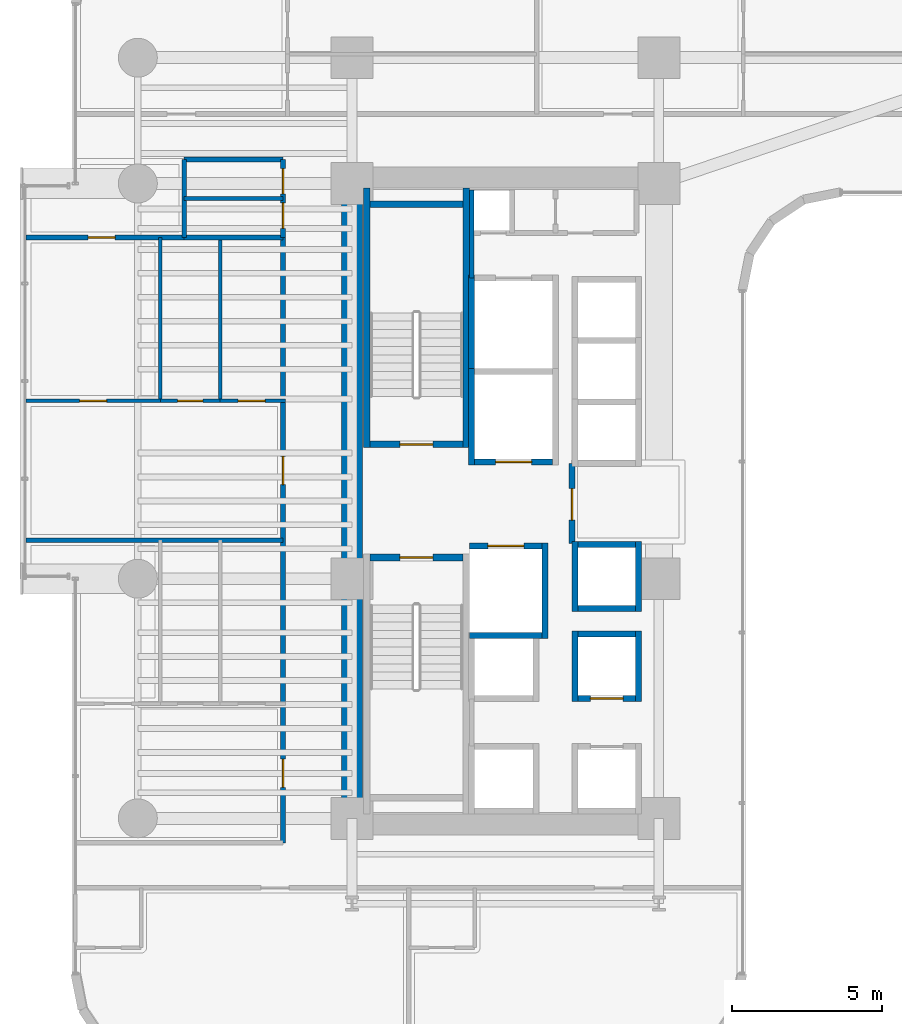
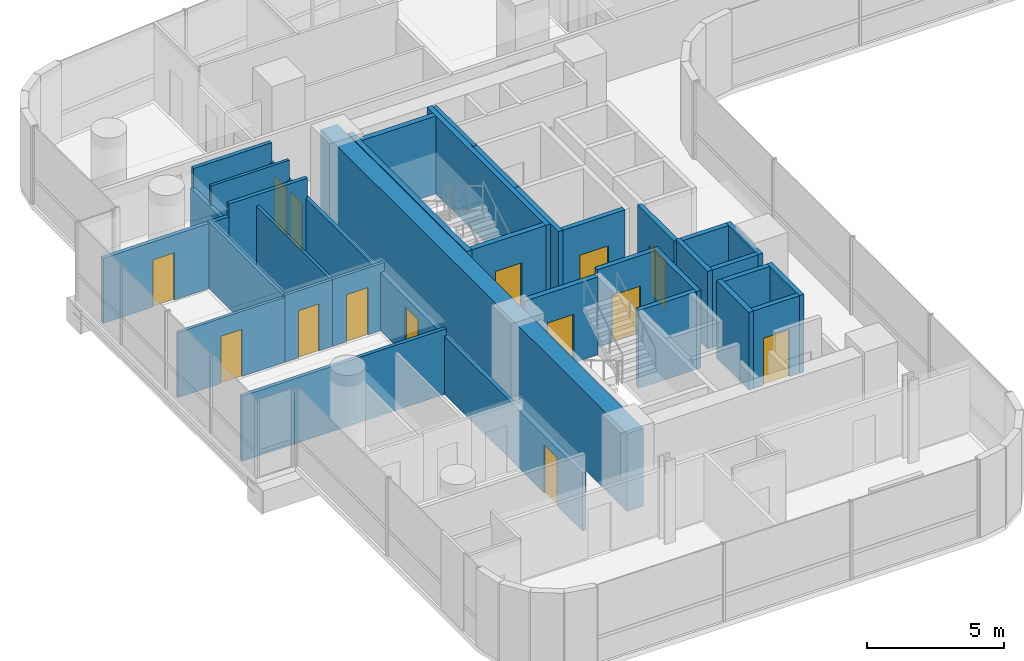
# One storey, part 30 of 40: 35 walls, 14 doors, 14 openings.
"""IFC4 building model written with IfcOpenShell, lengths in metres."""

from ifc_helpers import new_model, si_unit, direction, frame, frame_2d, origin, place, context, subcontext, project, spatial, rectangle, extrude, material, layer, layer_set, type_object, element, fill, save


model = new_model("IFC4")

# Units and contexts
model_context = context("Model", 3, precision=1e-05, world=origin(), true_north=direction((0.0, 1.0)))
body_context = subcontext(model_context, "Body", "Model", "MODEL_VIEW")
ifc_project = project(units=[si_unit("LENGTHUNIT", "METRE"), si_unit("AREAUNIT", "SQUARE_METRE"), si_unit("VOLUMEUNIT", "CUBIC_METRE"), si_unit("PLANEANGLEUNIT", "RADIAN"), si_unit("MASSUNIT", "GRAM", prefix="KILO")], contexts=[model_context])

# Site, building, storey
site_placement = place(None, origin())
site = spatial("IfcSite", under=ifc_project, at=site_placement, CompositionType="ELEMENT")
building_placement = place(site_placement, origin())
building = spatial("IfcBuilding", under=site, at=building_placement, Name="Valdorenza Pilgrim Sanctuary Tower", CompositionType="ELEMENT")
storey_placement = place(building_placement, frame((0.0, 0.0, 44.5)))
storey = spatial("IfcBuildingStorey", under=building, at=storey_placement, Name="L10", CompositionType="ELEMENT", Elevation=44.5)

# Walls
ifc_material_1 = material(Name="Acoustic twin-stud gypsum partition", Category="gypsum")
ifc_layer_1 = layer(ifc_material_1, 0.159912109375, Name="Acoustic twin-stud gypsum partition")
ifc_layer_set_1 = layer_set([ifc_layer_1], Name="Acoustic twin-stud gypsum partition")
wall_type_1 = type_object("IfcWallType", Name="WAL-COR-160", PredefinedType="PARTITIONING", material=ifc_layer_set_1)
wall_1_placement = place(storey_placement, frame((-18.64990234375, 7.449951171875, 0.0), z_axis=(0.0, 0.0, 1.0), x_axis=(0.0, 1.0, 0.0)))
element("IfcWall", 1, at=wall_1_placement, inside=storey, type_object=wall_type_1, Name="L10 Core A North Service West Wall", PredefinedType="PARTITIONING", context=body_context, shape_type="SweptSolid", body=[
    extrude(rectangle(XDim=2.929931640625, YDim=0.159912109375, at=frame_2d((1.46484375, 0.0))), origin(), (0.0, 0.0, 1.0), 3.4599609375),
])
wall_2_placement = place(storey_placement, frame((-28.25, 8.800048828125, 0.0), z_axis=(0.0, 0.0, 1.0), x_axis=(0.0, 1.0, 0.0)))
element("IfcWall", 2, at=wall_2_placement, inside=storey, type_object=wall_type_1, Name="L10 Washroom West Wall", PredefinedType="PARTITIONING", context=body_context, shape_type="SweptSolid", body=[
    extrude(rectangle(XDim=2.599853515625, YDim=0.159912109375, at=frame_2d((1.2998046875, 0.0))), origin(), (0.0, 0.0, 1.0), 2.5830078125),
])

# Wall, openings, doors
wall_3_placement = place(storey_placement, frame((-24.949951171875, 8.800048828125, 0.0), z_axis=(0.0, 0.0, 1.0), x_axis=(0.0, 1.0, 0.0)))
wall_3 = element("IfcWall", 3, at=wall_3_placement, inside=storey, type_object=wall_type_1, Name="L10 Washroom East Wall", PredefinedType="PARTITIONING", context=body_context, shape_type="SweptSolid", body=[
    extrude(rectangle(XDim=2.599853515625, YDim=0.159912109375, at=frame_2d((1.2998046875, 0.0))), origin(), (0.0, 0.0, 1.0), 2.5830078125),
])
opening_1_placement = place(wall_3_placement, frame((0.300048828125, 0.0, 0.0)))
opening_1 = element("IfcOpeningElement", 4, at=opening_1_placement, cuts=wall_3, Name="Opening DR-WC1", PredefinedType="OPENING", context=body_context, shape_type="SweptSolid", body=[
    extrude(rectangle(XDim=0.85009765625, YDim=2.10009765625, at=frame_2d((0.425048828125, 1.050048828125))), frame((0.0, 0.0947265625, 0.0), z_axis=(0.0, -1.0, 0.0), x_axis=(1.0, 0.0, 0.0)), (0.0, 0.0, 1.0), 0.189697265625),
])
opening_2_placement = place(wall_3_placement, frame((1.449951171875, 0.0, 0.0)))
opening_2 = element("IfcOpeningElement", 5, at=opening_2_placement, cuts=wall_3, Name="Opening DR-WC1", PredefinedType="OPENING", context=body_context, shape_type="SweptSolid", body=[
    extrude(rectangle(XDim=0.85009765625, YDim=2.10009765625, at=frame_2d((0.425048828125, 1.050048828125))), frame((0.0, 0.0947265625, 0.0), z_axis=(0.0, -1.0, 0.0), x_axis=(1.0, 0.0, 0.0)), (0.0, 0.0, 1.0), 0.189697265625),
])
ifc_material_2 = material(Name="Moisture-resistant lacquered timber", Category="wood")
door_type_1 = type_object("IfcDoorType", Name="DR-BATH-850", OperationType="NOTDEFINED", PredefinedType="DOOR", material=ifc_material_2)
door_1_placement = place(opening_1_placement, origin())
door_1 = element("IfcDoor", 6, at=door_1_placement, inside=storey, type_object=door_type_1, Name="L10 Accessible Washroom Door", OperationType="SINGLE_SWING_RIGHT", OverallHeight=2.10009765625, OverallWidth=0.85009765625, PredefinedType="DOOR", context=body_context, shape_type="SweptSolid", body=[
    extrude(rectangle(XDim=0.85009765625, YDim=2.10009765625, at=frame_2d((0.425048828125, 1.050048828125))), frame((0.0, 0.02490234375, 0.0), z_axis=(0.0, -1.0, 0.0), x_axis=(1.0, 0.0, 0.0)), (0.0, 0.0, 1.0), 0.050048828125),
])
fill(opening_1, door_1)
door_2_placement = place(opening_2_placement, origin())
door_2 = element("IfcDoor", 7, at=door_2_placement, inside=storey, type_object=door_type_1, Name="L10 Public Washroom Door", OperationType="SINGLE_SWING_LEFT", OverallHeight=2.10009765625, OverallWidth=0.85009765625, PredefinedType="DOOR", context=body_context, shape_type="SweptSolid", body=[
    extrude(rectangle(XDim=0.85009765625, YDim=2.10009765625, at=frame_2d((0.425048828125, 1.050048828125))), frame((0.0, 0.02490234375, 0.0), z_axis=(0.0, -1.0, 0.0), x_axis=(1.0, 0.0, 0.0)), (0.0, 0.0, 1.0), 0.050048828125),
])
fill(opening_2, door_2)

# Walls
for number, where, z_axis, x_axis, name in (
    (8, (-28.25, 8.800048828125, 0.0), (0.0, 0.0, 1.0), (1.0, 0.0, 0.0), "L10 Washroom South Wall"),
    (9, (-28.25, 11.39990234375, 0.0), (0.0, 0.0, 1.0), (1.0, 0.0, 0.0), "L10 Washroom North Wall"),
):
    element("IfcWall", number, at=place(storey_placement, frame(where, z_axis=z_axis, x_axis=x_axis)), inside=storey, type_object=wall_type_1, Name=name, PredefinedType="PARTITIONING", context=body_context, shape_type="SweptSolid", body=[
        extrude(rectangle(XDim=3.300048828125, YDim=0.159912109375, at=frame_2d((1.64990234375, 0.0))), origin(), (0.0, 0.0, 1.0), 3.4599609375),
    ])

# Wall, openings, doors
wall_4_placement = place(storey_placement, frame((-24.949951171875, -11.419921875, 0.0), z_axis=(0.0, 0.0, 1.0), x_axis=(0.0, 1.0, 0.0)))
wall_4 = element("IfcWall", 10, at=wall_4_placement, inside=storey, type_object=wall_type_1, Name="L10 West Wing Corridor Wall", PredefinedType="PARTITIONING", context=body_context, shape_type="SweptSolid", body=[
    extrude(rectangle(XDim=20.219970703125, YDim=0.159912109375, at=frame_2d((10.10986328125, 0.0))), origin(), (0.0, 0.0, 1.0), 2.5830078125),
])
opening_3_placement = place(wall_4_placement, frame((1.85009765625, 0.0, 0.0)))
opening_3 = element("IfcOpeningElement", 11, at=opening_3_placement, cuts=wall_4, Name="Opening DR-UN1", PredefinedType="OPENING", context=body_context, shape_type="SweptSolid", body=[
    extrude(rectangle(XDim=0.949951171875, YDim=2.14990234375, at=frame_2d((0.47509765625, 1.074951171875))), frame((0.0, 0.0947265625, 0.0), z_axis=(0.0, -1.0, 0.0), x_axis=(1.0, 0.0, 0.0)), (0.0, 0.0, 1.0), 0.189697265625),
])
opening_4_placement = place(wall_4_placement, frame((11.9599609375, 0.0, 0.0)))
opening_4 = element("IfcOpeningElement", 12, at=opening_4_placement, cuts=wall_4, Name="Opening DR-UN1", PredefinedType="OPENING", context=body_context, shape_type="SweptSolid", body=[
    extrude(rectangle(XDim=0.949951171875, YDim=2.14990234375, at=frame_2d((0.47509765625, 1.074951171875))), frame((0.0, 0.0947265625, 0.0), z_axis=(0.0, -1.0, 0.0), x_axis=(1.0, 0.0, 0.0)), (0.0, 0.0, 1.0), 0.189697265625),
])
ifc_material_3 = material(Name="Solid-core European oak timber", Category="wood")
door_type_2 = type_object("IfcDoorType", Name="DR-UNIT-950", OperationType="NOTDEFINED", PredefinedType="DOOR", material=ifc_material_3)
door_3_placement = place(opening_3_placement, frame((0.949951171875, 0.0, 0.0), z_axis=(0.0, 0.0, 1.0), x_axis=(-1.0, 0.0, 0.0)))
door_3 = element("IfcDoor", 13, at=door_3_placement, inside=storey, type_object=door_type_2, Name="L10 Pilgrim Family Flat L10-W1 Entrance Door", OperationType="SINGLE_SWING_LEFT", OverallHeight=2.14990234375, OverallWidth=0.949951171875, PredefinedType="DOOR", context=body_context, shape_type="SweptSolid", body=[
    extrude(rectangle(XDim=0.949951171875, YDim=2.14990234375, at=frame_2d((0.47509765625, 1.074951171875))), frame((0.0, 0.02490234375, 0.0), z_axis=(0.0, -1.0, 0.0), x_axis=(1.0, 0.0, 0.0)), (0.0, 0.0, 1.0), 0.050048828125),
])
fill(opening_3, door_3)
door_4_placement = place(opening_4_placement, frame((0.949951171875, 0.0, 0.0), z_axis=(0.0, 0.0, 1.0), x_axis=(-1.0, 0.0, 0.0)))
door_4 = element("IfcDoor", 14, at=door_4_placement, inside=storey, type_object=door_type_2, Name="L10 Pilgrim Family Flat L10-W2 Entrance Door", OperationType="SINGLE_SWING_LEFT", OverallHeight=2.14990234375, OverallWidth=0.949951171875, PredefinedType="DOOR", context=body_context, shape_type="SweptSolid", body=[
    extrude(rectangle(XDim=0.949951171875, YDim=2.14990234375, at=frame_2d((0.47509765625, 1.074951171875))), frame((0.0, 0.02490234375, 0.0), z_axis=(0.0, -1.0, 0.0), x_axis=(1.0, 0.0, 0.0)), (0.0, 0.0, 1.0), 0.050048828125),
])
fill(opening_4, door_4)

# Wall, opening, door
wall_5_placement = place(storey_placement, frame((-33.5400390625, 8.800048828125, 0.0), z_axis=(0.0, 0.0, 1.0), x_axis=(1.0, 0.0, 0.0)))
wall_5 = element("IfcWall", 15, at=wall_5_placement, inside=storey, type_object=wall_type_1, Name="L10 West North Alcove Wall", PredefinedType="PARTITIONING", context=body_context, shape_type="SweptSolid", body=[
    extrude(rectangle(XDim=5.2900390625, YDim=0.159912109375, at=frame_2d((2.64501953125, 0.0))), origin(), (0.0, 0.0, 1.0), 2.89599609375),
])
opening_5_placement = place(wall_5_placement, frame((2.080078125, 0.0, 0.0)))
opening_5 = element("IfcOpeningElement", 16, at=opening_5_placement, cuts=wall_5, Name="Opening DR-RM1", PredefinedType="OPENING", context=body_context, shape_type="SweptSolid", body=[
    extrude(rectangle(XDim=0.89990234375, YDim=2.10009765625, at=frame_2d((0.449951171875, 1.050048828125))), frame((0.0, 0.0947265625, 0.0), z_axis=(0.0, -1.0, 0.0), x_axis=(1.0, 0.0, 0.0)), (0.0, 0.0, 1.0), 0.189697265625),
])
door_type_3 = type_object("IfcDoorType", Name="DR-ROOM-900", OperationType="NOTDEFINED", PredefinedType="DOOR", material=ifc_material_3)
door_5_placement = place(opening_5_placement, origin())
door_5 = element("IfcDoor", 17, at=door_5_placement, inside=storey, type_object=door_type_3, Name="L10 Pilgrim Scholar Office L10-WN Door", OperationType="SINGLE_SWING_RIGHT", OverallHeight=2.10009765625, OverallWidth=0.89990234375, PredefinedType="DOOR", context=body_context, shape_type="SweptSolid", body=[
    extrude(rectangle(XDim=0.89990234375, YDim=2.10009765625, at=frame_2d((0.449951171875, 1.050048828125))), frame((0.0, 0.02490234375, 0.0), z_axis=(0.0, -1.0, 0.0), x_axis=(1.0, 0.0, 0.0)), (0.0, 0.0, 1.0), 0.050048828125),
])
fill(opening_5, door_5)

# Wall
ifc_material_4 = material(Name="Concrete C60/75", Category="concrete")
ifc_layer_2 = layer(ifc_material_4, 0.699951171875, Name="Concrete C60/75")
ifc_layer_set_2 = layer_set([ifc_layer_2], Name="Concrete C60/75")
wall_type_2 = type_object("IfcWallType", Name="WAL-COR-700", PredefinedType="SHEAR", material=ifc_layer_set_2)
wall_6_placement = place(storey_placement, frame((-22.64990234375, -11.14990234375, 0.0), z_axis=(0.0, 0.0, 1.0), x_axis=(0.0, 1.0, 0.0)))
element("IfcWall", 18, at=wall_6_placement, inside=storey, type_object=wall_type_2, Name="L10 Split Core A Shear Wall W", PredefinedType="SHEAR", context=body_context, shape_type="SweptSolid", body=[
    extrude(rectangle(XDim=22.2998046875, YDim=0.699951171875, at=frame_2d((11.14990234375, 0.0))), origin(), (0.0, 0.0, 1.0), 3.4599609375),
])

# Wall, opening, door
ifc_material_5 = material(Name="Gypsum shaftwall partition", Category="gypsum")
ifc_layer_3 = layer(ifc_material_5, 0.199951171875, Name="Gypsum shaftwall partition")
ifc_layer_set_3 = layer_set([ifc_layer_3], Name="Gypsum shaftwall partition")
wall_type_3 = type_object("IfcWallType", Name="WAL-FFL-200", PredefinedType="PARTITIONING", material=ifc_layer_set_3)
wall_7_placement = place(storey_placement, frame((-15.300048828125, -1.419921875, 0.0), z_axis=(0.0, 0.0, 1.0), x_axis=(0.0, 1.0, 0.0)))
wall_7 = element("IfcWall", 19, at=wall_7_placement, inside=storey, type_object=wall_type_3, Name="L10 Core A Firefighting Lobby East Wall", PredefinedType="PARTITIONING", context=body_context, shape_type="SweptSolid", body=[
    extrude(rectangle(XDim=2.669921875, YDim=0.199951171875, at=frame_2d((1.3349609375, 0.0))), origin(), (0.0, 0.0, 1.0), 3.4599609375),
])
opening_6_placement = place(wall_7_placement, frame((0.780029296875, 0.0, 0.0)))
opening_6 = element("IfcOpeningElement", 20, at=opening_6_placement, cuts=wall_7, Name="Opening DR-FL1", PredefinedType="OPENING", context=body_context, shape_type="SweptSolid", body=[
    extrude(rectangle(XDim=1.050048828125, YDim=2.14990234375, at=frame_2d((0.52490234375, 1.074951171875))), frame((0.0, 0.11474609375, 0.0), z_axis=(0.0, -1.0, 0.0), x_axis=(1.0, 0.0, 0.0)), (0.0, 0.0, 1.0), 0.229736328125),
])
ifc_material_6 = material(Name="Painted galvanized steel", Category="steel")
door_type_4 = type_object("IfcDoorType", Name="DR-FFL-1050", OperationType="NOTDEFINED", PredefinedType="DOOR", material=ifc_material_6)
door_6_placement = place(opening_6_placement, origin())
door_6 = element("IfcDoor", 21, at=door_6_placement, inside=storey, type_object=door_type_4, Name="L10 Core A Firefighting Lobby Door", OperationType="SINGLE_SWING_RIGHT", OverallHeight=2.14990234375, OverallWidth=1.050048828125, PredefinedType="DOOR", context=body_context, shape_type="SweptSolid", body=[
    extrude(rectangle(XDim=1.050048828125, YDim=2.14990234375, at=frame_2d((0.52490234375, 1.074951171875))), frame((0.0, 0.02490234375, 0.0), z_axis=(0.0, -1.0, 0.0), x_axis=(1.0, 0.0, 0.0)), (0.0, 0.0, 1.0), 0.050048828125),
])
fill(opening_6, door_6)

# Walls
ifc_material_7 = material(Name="Moisture-resistant gypsum partition", Category="gypsum")
ifc_layer_4 = layer(ifc_material_7, 0.1201171875, Name="Moisture-resistant gypsum partition")
ifc_layer_set_4 = layer_set([ifc_layer_4], Name="Moisture-resistant gypsum partition")
wall_type_4 = type_object("IfcWallType", Name="WAL-INT-120", PredefinedType="PARTITIONING", material=ifc_layer_set_4)
wall_8_placement = place(storey_placement, frame((-28.25, 10.10009765625, 0.0), z_axis=(0.0, 0.0, 1.0), x_axis=(1.0, 0.0, 0.0)))
element("IfcWall", 22, at=wall_8_placement, inside=storey, type_object=wall_type_4, Name="L10 Washroom Divider Wall", PredefinedType="PARTITIONING", context=body_context, shape_type="SweptSolid", body=[
    extrude(rectangle(XDim=3.300048828125, YDim=0.1201171875, at=frame_2d((1.64990234375, 0.0))), origin(), (0.0, 0.0, 1.0), 3.4599609375),
])
for number, where, z_axis, x_axis, name in (
    (23, (-27.050048828125, 3.340576171875, 0.0), (0.0, 0.0, 1.0), (0.0, 1.0, 0.0), "L10 Pilgrim Family Flat L10-W2 Bath-Kitchen Wall"),
    (24, (-29.050048828125, 3.340576171875, 0.0), (0.0, 0.0, 1.0), (0.0, 1.0, 0.0), "L10 Pilgrim Family Flat L10-W2 Kitchen-Bedroom Wall"),
):
    element("IfcWall", number, at=place(storey_placement, frame(where, z_axis=z_axis, x_axis=x_axis)), inside=storey, type_object=wall_type_4, Name=name, PredefinedType="PARTITIONING", context=body_context, shape_type="SweptSolid", body=[
        extrude(rectangle(XDim=5.45947265625, YDim=0.1201171875, at=frame_2d((2.729736328125, 0.0))), origin(), (0.0, 0.0, 1.0), 2.97900390625),
    ])

# Wall, opening, door
wall_9_placement = place(storey_placement, frame((-29.050048828125, 3.340576171875, 0.0), z_axis=(0.0, 0.0, 1.0), x_axis=(1.0, 0.0, 0.0)))
wall_9 = element("IfcWall", 25, at=wall_9_placement, inside=storey, type_object=wall_type_4, Name="L10 Pilgrim Family Flat L10-W2 Bathroom Door Wall", PredefinedType="PARTITIONING", context=body_context, shape_type="SweptSolid", body=[
    extrude(rectangle(XDim=2.0, YDim=0.1201171875, at=frame_2d((1.0, 0.0))), origin(), (0.0, 0.0, 1.0), 2.97900390625),
])
opening_7_placement = place(wall_9_placement, frame((0.574951171875, 0.0, 0.0)))
opening_7 = element("IfcOpeningElement", 26, at=opening_7_placement, cuts=wall_9, Name="Opening DR-WC1", PredefinedType="OPENING", context=body_context, shape_type="SweptSolid", body=[
    extrude(rectangle(XDim=0.85009765625, YDim=2.10009765625, at=frame_2d((0.425048828125, 1.050048828125))), frame((0.0, 0.074951171875, 0.0), z_axis=(0.0, -1.0, 0.0), x_axis=(1.0, 0.0, 0.0)), (0.0, 0.0, 1.0), 0.14990234375),
])
door_7_placement = place(opening_7_placement, origin())
door_7 = element("IfcDoor", 27, at=door_7_placement, inside=storey, type_object=door_type_1, Name="L10 Pilgrim Family Flat L10-W2 Bathroom Door", OperationType="SINGLE_SWING_RIGHT", OverallHeight=2.10009765625, OverallWidth=0.85009765625, PredefinedType="DOOR", context=body_context, shape_type="SweptSolid", body=[
    extrude(rectangle(XDim=0.85009765625, YDim=2.10009765625, at=frame_2d((0.425048828125, 1.050048828125))), frame((0.0, 0.02490234375, 0.0), z_axis=(0.0, -1.0, 0.0), x_axis=(1.0, 0.0, 0.0)), (0.0, 0.0, 1.0), 0.050048828125),
])
fill(opening_7, door_7)

wall_10_placement = place(storey_placement, frame((-27.050048828125, 3.340576171875, 0.0), z_axis=(0.0, 0.0, 1.0), x_axis=(1.0, 0.0, 0.0)))
wall_10 = element("IfcWall", 28, at=wall_10_placement, inside=storey, type_object=wall_type_4, Name="L10 Pilgrim Family Flat L10-W2 Kitchen Door Wall", PredefinedType="PARTITIONING", context=body_context, shape_type="SweptSolid", body=[
    extrude(rectangle(XDim=2.179931640625, YDim=0.1201171875, at=frame_2d((1.08984375, 0.0))), origin(), (0.0, 0.0, 1.0), 2.97900390625),
])
opening_8_placement = place(wall_10_placement, frame((0.60009765625, 0.0, 0.0)))
opening_8 = element("IfcOpeningElement", 29, at=opening_8_placement, cuts=wall_10, Name="Opening DR-RM1", PredefinedType="OPENING", context=body_context, shape_type="SweptSolid", body=[
    extrude(rectangle(XDim=0.89990234375, YDim=2.10009765625, at=frame_2d((0.449951171875, 1.050048828125))), frame((0.0, 0.074951171875, 0.0), z_axis=(0.0, -1.0, 0.0), x_axis=(1.0, 0.0, 0.0)), (0.0, 0.0, 1.0), 0.14990234375),
])
door_8_placement = place(opening_8_placement, origin())
door_8 = element("IfcDoor", 30, at=door_8_placement, inside=storey, type_object=door_type_3, Name="L10 Pilgrim Family Flat L10-W2 Kitchen Door", OperationType="SINGLE_SWING_LEFT", OverallHeight=2.10009765625, OverallWidth=0.89990234375, PredefinedType="DOOR", context=body_context, shape_type="SweptSolid", body=[
    extrude(rectangle(XDim=0.89990234375, YDim=2.10009765625, at=frame_2d((0.449951171875, 1.050048828125))), frame((0.0, 0.02490234375, 0.0), z_axis=(0.0, -1.0, 0.0), x_axis=(1.0, 0.0, 0.0)), (0.0, 0.0, 1.0), 0.050048828125),
])
fill(opening_8, door_8)

wall_11_placement = place(storey_placement, frame((-33.5400390625, 3.340576171875, 0.0), z_axis=(0.0, 0.0, 1.0), x_axis=(1.0, 0.0, 0.0)))
wall_11 = element("IfcWall", 31, at=wall_11_placement, inside=storey, type_object=wall_type_4, Name="L10 Pilgrim Family Flat L10-W2 Bedroom Door Wall", PredefinedType="PARTITIONING", context=body_context, shape_type="SweptSolid", body=[
    extrude(rectangle(XDim=4.489990234375, YDim=0.1201171875, at=frame_2d((2.2451171875, 0.0))), origin(), (0.0, 0.0, 1.0), 2.89599609375),
])
opening_9_placement = place(wall_11_placement, frame((1.794921875, 0.0, 0.0)))
opening_9 = element("IfcOpeningElement", 32, at=opening_9_placement, cuts=wall_11, Name="Opening DR-RM1", PredefinedType="OPENING", context=body_context, shape_type="SweptSolid", body=[
    extrude(rectangle(XDim=0.89990234375, YDim=2.10009765625, at=frame_2d((0.449951171875, 1.050048828125))), frame((0.0, 0.074951171875, 0.0), z_axis=(0.0, -1.0, 0.0), x_axis=(1.0, 0.0, 0.0)), (0.0, 0.0, 1.0), 0.14990234375),
])
door_9_placement = place(opening_9_placement, origin())
door_9 = element("IfcDoor", 33, at=door_9_placement, inside=storey, type_object=door_type_3, Name="L10 Pilgrim Family Flat L10-W2 Bedroom Door", OperationType="SINGLE_SWING_RIGHT", OverallHeight=2.10009765625, OverallWidth=0.89990234375, PredefinedType="DOOR", context=body_context, shape_type="SweptSolid", body=[
    extrude(rectangle(XDim=0.89990234375, YDim=2.10009765625, at=frame_2d((0.449951171875, 1.050048828125))), frame((0.0, 0.02490234375, 0.0), z_axis=(0.0, -1.0, 0.0), x_axis=(1.0, 0.0, 0.0)), (0.0, 0.0, 1.0), 0.050048828125),
])
fill(opening_9, door_9)

# Wall
ifc_material_8 = material(Name="Autoclaved aerated concrete blockwork", Category="masonry")
ifc_layer_5 = layer(ifc_material_8, 0.199951171875, Name="Autoclaved aerated concrete blockwork")
ifc_layer_set_5 = layer_set([ifc_layer_5], Name="Autoclaved aerated concrete blockwork")
wall_type_5 = type_object("IfcWallType", Name="WAL-SHF-200", PredefinedType="MOVABLE", material=ifc_layer_set_5)
wall_12_placement = place(storey_placement, frame((-18.64990234375, 1.199951171875, 0.0), z_axis=(0.0, 0.0, 1.0), x_axis=(0.0, 1.0, 0.0)))
element("IfcWall", 34, at=wall_12_placement, inside=storey, type_object=wall_type_5, Name="L10 Lift FFL-01 Hoistway Wall West", PredefinedType="MOVABLE", context=body_context, shape_type="SweptSolid", body=[
    extrude(rectangle(XDim=3.22509765625, YDim=0.199951171875, at=frame_2d((1.612548828125, 0.0))), origin(), (0.0, 0.0, 1.0), 3.4599609375),
])

# Wall, opening, door
wall_13_placement = place(storey_placement, frame((-18.550048828125, 1.300048828125, 0.0), z_axis=(0.0, 0.0, 1.0), x_axis=(1.0, 0.0, 0.0)))
wall_13 = element("IfcWall", 35, at=wall_13_placement, inside=storey, type_object=wall_type_5, Name="L10 Lift FFL-01 Hoistway Wall South", PredefinedType="MOVABLE", context=body_context, shape_type="SweptSolid", body=[
    extrude(rectangle(XDim=2.60009765625, YDim=0.199951171875, at=frame_2d((1.300048828125, 0.0))), origin(), (0.0, 0.0, 1.0), 3.4599609375),
])
opening_10_placement = place(wall_13_placement, frame((0.699951171875, 0.0, 0.0)))
opening_10 = element("IfcOpeningElement", 36, at=opening_10_placement, cuts=wall_13, Name="Opening LD-02", PredefinedType="OPENING", context=body_context, shape_type="SweptSolid", body=[
    extrude(rectangle(XDim=1.199951171875, YDim=2.10009765625, at=frame_2d((0.60009765625, 1.050048828125))), frame((0.0, 0.11474609375, 0.0), z_axis=(0.0, -1.0, 0.0), x_axis=(1.0, 0.0, 0.0)), (0.0, 0.0, 1.0), 0.229736328125),
])
ifc_material_9 = material(Name="Brushed stainless steel Grade 316", Category="steel")
door_type_5 = type_object("IfcDoorType", Name="DR-LFT-1200", OperationType="DOUBLE_DOOR_SLIDING", PredefinedType="DOOR", material=ifc_material_9)
door_10_placement = place(opening_10_placement, origin())
door_10 = element("IfcDoor", 37, at=door_10_placement, inside=storey, type_object=door_type_5, Name="L10 Lift FFL-01 Sliding Landing Door", OperationType="DOUBLE_DOOR_SLIDING", OverallHeight=2.10009765625, OverallWidth=1.199951171875, PredefinedType="DOOR", context=body_context, shape_type="SweptSolid", body=[
    extrude(rectangle(XDim=1.199951171875, YDim=2.10009765625, at=frame_2d((0.60009765625, 1.050048828125))), frame((0.0, 0.02490234375, 0.0), z_axis=(0.0, -1.0, 0.0), x_axis=(1.0, 0.0, 0.0)), (0.0, 0.0, 1.0), 0.050048828125),
])
fill(opening_10, door_10)

# Walls
wall_14_placement = place(storey_placement, frame((-16.199951171875, -4.60009765625, 0.0), z_axis=(0.0, 0.0, 1.0), x_axis=(0.0, 1.0, 0.0)))
element("IfcWall", 38, at=wall_14_placement, inside=storey, type_object=wall_type_5, Name="L10 Lift FFL-02 Hoistway Wall East", PredefinedType="MOVABLE", context=body_context, shape_type="SweptSolid", body=[
    extrude(rectangle(XDim=3.2001953125, YDim=0.199951171875, at=frame_2d((1.60009765625, 0.0))), origin(), (0.0, 0.0, 1.0), 3.4599609375),
])
wall_15_placement = place(storey_placement, frame((-18.719970703125, -4.5, 0.0), z_axis=(0.0, 0.0, 1.0), x_axis=(1.0, 0.0, 0.0)))
element("IfcWall", 39, at=wall_15_placement, inside=storey, type_object=wall_type_5, Name="L10 Lift FFL-02 Hoistway Wall South", PredefinedType="MOVABLE", context=body_context, shape_type="SweptSolid", body=[
    extrude(rectangle(XDim=2.419921875, YDim=0.199951171875, at=frame_2d((1.2099609375, 0.0))), origin(), (0.0, 0.0, 1.0), 3.4599609375),
])

# Wall, opening, door
wall_16_placement = place(storey_placement, frame((-18.719970703125, -1.5, 0.0), z_axis=(0.0, 0.0, 1.0), x_axis=(1.0, 0.0, 0.0)))
wall_16 = element("IfcWall", 40, at=wall_16_placement, inside=storey, type_object=wall_type_5, Name="L10 Lift FFL-02 Hoistway Wall North", PredefinedType="MOVABLE", context=body_context, shape_type="SweptSolid", body=[
    extrude(rectangle(XDim=2.419921875, YDim=0.199951171875, at=frame_2d((1.2099609375, 0.0))), origin(), (0.0, 0.0, 1.0), 3.4599609375),
])
opening_11_placement = place(wall_16_placement, frame((0.610107421875, 0.0, 0.0)))
opening_11 = element("IfcOpeningElement", 41, at=opening_11_placement, cuts=wall_16, Name="Opening LD-02", PredefinedType="OPENING", context=body_context, shape_type="SweptSolid", body=[
    extrude(rectangle(XDim=1.199951171875, YDim=2.10009765625, at=frame_2d((0.60009765625, 1.050048828125))), frame((0.0, 0.11474609375, 0.0), z_axis=(0.0, -1.0, 0.0), x_axis=(1.0, 0.0, 0.0)), (0.0, 0.0, 1.0), 0.229736328125),
])
door_11_placement = place(opening_11_placement, origin())
door_11 = element("IfcDoor", 42, at=door_11_placement, inside=storey, type_object=door_type_5, Name="L10 Lift FFL-02 Sliding Landing Door", OperationType="DOUBLE_DOOR_SLIDING", OverallHeight=2.10009765625, OverallWidth=1.199951171875, PredefinedType="DOOR", context=body_context, shape_type="SweptSolid", body=[
    extrude(rectangle(XDim=1.199951171875, YDim=2.10009765625, at=frame_2d((0.60009765625, 1.050048828125))), frame((0.0, 0.02490234375, 0.0), z_axis=(0.0, -1.0, 0.0), x_axis=(1.0, 0.0, 0.0)), (0.0, 0.0, 1.0), 0.050048828125),
])
fill(opening_11, door_11)

# Walls
wall_17_placement = place(storey_placement, frame((-18.64990234375, 4.22509765625, 0.0), z_axis=(0.0, 0.0, 1.0), x_axis=(0.0, 1.0, 0.0)))
element("IfcWall", 43, at=wall_17_placement, inside=storey, type_object=wall_type_5, Name="L10 Lift SVL-01 Hoistway Wall West", PredefinedType="MOVABLE", context=body_context, shape_type="SweptSolid", body=[
    extrude(rectangle(XDim=3.324951171875, YDim=0.199951171875, at=frame_2d((1.66259765625, 0.0))), origin(), (0.0, 0.0, 1.0), 3.4599609375),
])
for number, where, z_axis, x_axis, name in (
    (44, (-15.199951171875, -6.699951171875, 0.0), (0.0, 0.0, 1.0), (0.0, 1.0, 0.0), "L10 Lift PL-02 Hoistway Wall West"),
    (45, (-13.080078125, -6.699951171875, 0.0), (0.0, 0.0, 1.0), (0.0, 1.0, 0.0), "L10 Lift PL-02 Hoistway Wall East"),
):
    element("IfcWall", number, at=place(storey_placement, frame(where, z_axis=z_axis, x_axis=x_axis)), inside=storey, type_object=wall_type_5, Name=name, PredefinedType="MOVABLE", context=body_context, shape_type="SweptSolid", body=[
        extrude(rectangle(XDim=2.349853515625, YDim=0.199951171875, at=frame_2d((1.1748046875, 0.0))), origin(), (0.0, 0.0, 1.0), 3.4599609375),
    ])

# Wall, opening, door
wall_18_placement = place(storey_placement, frame((-15.10009765625, -6.60009765625, 0.0), z_axis=(0.0, 0.0, 1.0), x_axis=(1.0, 0.0, 0.0)))
wall_18 = element("IfcWall", 46, at=wall_18_placement, inside=storey, type_object=wall_type_5, Name="L10 Lift PL-02 Hoistway Wall South", PredefinedType="MOVABLE", context=body_context, shape_type="SweptSolid", body=[
    extrude(rectangle(XDim=1.920166015625, YDim=0.199951171875, at=frame_2d((0.9599609375, 0.0))), origin(), (0.0, 0.0, 1.0), 3.4599609375),
])
opening_12_placement = place(wall_18_placement, frame((0.409912109375, 0.0, 0.0)))
opening_12 = element("IfcOpeningElement", 47, at=opening_12_placement, cuts=wall_18, Name="Opening LD-01", PredefinedType="OPENING", context=body_context, shape_type="SweptSolid", body=[
    extrude(rectangle(XDim=1.10009765625, YDim=2.10009765625, at=frame_2d((0.550048828125, 1.050048828125))), frame((0.0, 0.11474609375, 0.0), z_axis=(0.0, -1.0, 0.0), x_axis=(1.0, 0.0, 0.0)), (0.0, 0.0, 1.0), 0.229736328125),
])
door_type_6 = type_object("IfcDoorType", Name="DR-LFT-1100", OperationType="DOUBLE_DOOR_SLIDING", PredefinedType="DOOR", material=ifc_material_9)
door_12_placement = place(opening_12_placement, origin())
door_12 = element("IfcDoor", 48, at=door_12_placement, inside=storey, type_object=door_type_6, Name="L10 Lift PL-02 Sliding Landing Door", OperationType="DOUBLE_DOOR_SLIDING", OverallHeight=2.10009765625, OverallWidth=1.10009765625, PredefinedType="DOOR", context=body_context, shape_type="SweptSolid", body=[
    extrude(rectangle(XDim=1.10009765625, YDim=2.10009765625, at=frame_2d((0.550048828125, 1.050048828125))), frame((0.0, 0.02490234375, 0.0), z_axis=(0.0, -1.0, 0.0), x_axis=(1.0, 0.0, 0.0)), (0.0, 0.0, 1.0), 0.050048828125),
])
fill(opening_12, door_12)

# Walls
wall_19_placement = place(storey_placement, frame((-15.10009765625, -4.449951171875, 0.0), z_axis=(0.0, 0.0, 1.0), x_axis=(1.0, 0.0, 0.0)))
element("IfcWall", 49, at=wall_19_placement, inside=storey, type_object=wall_type_5, Name="L10 Lift PL-02 Hoistway Wall North", PredefinedType="MOVABLE", context=body_context, shape_type="SweptSolid", body=[
    extrude(rectangle(XDim=1.920166015625, YDim=0.199951171875, at=frame_2d((0.9599609375, 0.0))), origin(), (0.0, 0.0, 1.0), 3.4599609375),
])
for number, where, z_axis, x_axis, name in (
    (50, (-15.199951171875, -3.699951171875, 0.0), (0.0, 0.0, 1.0), (0.0, 1.0, 0.0), "L10 Lift PL-12 Hoistway Wall West"),
    (51, (-13.080078125, -3.699951171875, 0.0), (0.0, 0.0, 1.0), (0.0, 1.0, 0.0), "L10 Lift PL-12 Hoistway Wall East"),
):
    element("IfcWall", number, at=place(storey_placement, frame(where, z_axis=z_axis, x_axis=x_axis)), inside=storey, type_object=wall_type_5, Name=name, PredefinedType="MOVABLE", context=body_context, shape_type="SweptSolid", body=[
        extrude(rectangle(XDim=2.349853515625, YDim=0.199951171875, at=frame_2d((1.1748046875, 0.0))), origin(), (0.0, 0.0, 1.0), 3.4599609375),
    ])
for number, where, z_axis, x_axis, name in (
    (52, (-15.10009765625, -3.60009765625, 0.0), (0.0, 0.0, 1.0), (1.0, 0.0, 0.0), "L10 Lift PL-12 Hoistway Wall South"),
    (53, (-15.10009765625, -1.449951171875, 0.0), (0.0, 0.0, 1.0), (1.0, 0.0, 0.0), "L10 Lift PL-12 Hoistway Wall North"),
):
    element("IfcWall", number, at=place(storey_placement, frame(where, z_axis=z_axis, x_axis=x_axis)), inside=storey, type_object=wall_type_5, Name=name, PredefinedType="MOVABLE", context=body_context, shape_type="SweptSolid", body=[
        extrude(rectangle(XDim=1.920166015625, YDim=0.199951171875, at=frame_2d((0.9599609375, 0.0))), origin(), (0.0, 0.0, 1.0), 3.4599609375),
    ])
ifc_material_10 = material(Name="Concrete C40/50", Category="concrete")
ifc_layer_6 = layer(ifc_material_10, 0.219970703125, Name="Concrete C40/50")
ifc_layer_set_6 = layer_set([ifc_layer_6], Name="Concrete C40/50")
wall_type_6 = type_object("IfcWallType", Name="WAL-STR-SHF-220", PredefinedType="SHEAR", material=ifc_layer_set_6)
for number, where, z_axis, x_axis, name in (
    (54, (-22.159912109375, 1.780029296875, 0.0), (0.0, 0.0, 1.0), (0.0, 1.0, 0.0), "L10 ST-A1 Structural Stairwell Wall W"),
    (55, (-18.830078125, 1.780029296875, 0.0), (0.0, 0.0, 1.0), (0.0, 1.0, 0.0), "L10 ST-A1 Structural Stairwell Wall E"),
):
    element("IfcWall", number, at=place(storey_placement, frame(where, z_axis=z_axis, x_axis=x_axis)), inside=storey, type_object=wall_type_6, Name=name, PredefinedType="SHEAR", context=body_context, shape_type="SweptSolid", body=[
        extrude(rectangle(XDim=8.669921875, YDim=0.219970703125, at=frame_2d((4.3349609375, 0.0))), origin(), (0.0, 0.0, 1.0), 3.4599609375),
    ])

# Wall, opening, door
wall_20_placement = place(storey_placement, frame((-22.050048828125, 1.889892578125, 0.0), z_axis=(0.0, 0.0, 1.0), x_axis=(1.0, 0.0, 0.0)))
wall_20 = element("IfcWall", 56, at=wall_20_placement, inside=storey, type_object=wall_type_6, Name="L10 ST-A1 Structural Stairwell Wall S", PredefinedType="SHEAR", context=body_context, shape_type="SweptSolid", body=[
    extrude(rectangle(XDim=3.110107421875, YDim=0.219970703125, at=frame_2d((1.55517578125, 0.0))), origin(), (0.0, 0.0, 1.0), 3.4599609375),
])
opening_13_placement = place(wall_20_placement, frame((1.0, 0.0, 0.0)))
opening_13 = element("IfcOpeningElement", 57, at=opening_13_placement, cuts=wall_20, Name="Opening DR-ST1", PredefinedType="OPENING", context=body_context, shape_type="SweptSolid", body=[
    extrude(rectangle(XDim=1.10009765625, YDim=2.14990234375, at=frame_2d((0.550048828125, 1.074951171875))), frame((0.0, 0.125, 0.0), z_axis=(0.0, -1.0, 0.0), x_axis=(1.0, 0.0, 0.0)), (0.0, 0.0, 1.0), 0.249755859375),
])
door_type_7 = type_object("IfcDoorType", Name="DR-STAIR-1100", OperationType="NOTDEFINED", PredefinedType="DOOR", material=ifc_material_6)
door_13_placement = place(opening_13_placement, frame((1.10009765625, 0.0, 0.0), z_axis=(0.0, 0.0, 1.0), x_axis=(-1.0, 0.0, 0.0)))
door_13 = element("IfcDoor", 58, at=door_13_placement, inside=storey, type_object=door_type_7, Name="L10 Exit Stair ST-A1 Door", OperationType="SINGLE_SWING_LEFT", OverallHeight=2.14990234375, OverallWidth=1.10009765625, PredefinedType="DOOR", context=body_context, shape_type="SweptSolid", body=[
    extrude(rectangle(XDim=1.10009765625, YDim=2.14990234375, at=frame_2d((0.550048828125, 1.074951171875))), frame((0.0, 0.02490234375, 0.0), z_axis=(0.0, -1.0, 0.0), x_axis=(1.0, 0.0, 0.0)), (0.0, 0.0, 1.0), 0.050048828125),
])
fill(opening_13, door_13)

# Wall
wall_21_placement = place(storey_placement, frame((-22.050048828125, 9.909912109375, 0.0), z_axis=(0.0, 0.0, 1.0), x_axis=(1.0, 0.0, 0.0)))
element("IfcWall", 59, at=wall_21_placement, inside=storey, type_object=wall_type_6, Name="L10 ST-A1 Structural Stairwell Wall N", PredefinedType="SHEAR", context=body_context, shape_type="SweptSolid", body=[
    extrude(rectangle(XDim=3.110107421875, YDim=0.219970703125, at=frame_2d((1.55517578125, 0.0))), origin(), (0.0, 0.0, 1.0), 3.4599609375),
])

# Wall, opening, door
wall_22_placement = place(storey_placement, frame((-22.050048828125, -1.889892578125, 0.0), z_axis=(0.0, 0.0, 1.0), x_axis=(1.0, 0.0, 0.0)))
wall_22 = element("IfcWall", 60, at=wall_22_placement, inside=storey, type_object=wall_type_6, Name="L10 ST-A2 Structural Stairwell Wall N", PredefinedType="SHEAR", context=body_context, shape_type="SweptSolid", body=[
    extrude(rectangle(XDim=3.110107421875, YDim=0.219970703125, at=frame_2d((1.55517578125, 0.0))), origin(), (0.0, 0.0, 1.0), 3.4599609375),
])
opening_14_placement = place(wall_22_placement, frame((1.0, 0.0, 0.0)))
opening_14 = element("IfcOpeningElement", 61, at=opening_14_placement, cuts=wall_22, Name="Opening DR-ST1", PredefinedType="OPENING", context=body_context, shape_type="SweptSolid", body=[
    extrude(rectangle(XDim=1.10009765625, YDim=2.14990234375, at=frame_2d((0.550048828125, 1.074951171875))), frame((0.0, 0.125, 0.0), z_axis=(0.0, -1.0, 0.0), x_axis=(1.0, 0.0, 0.0)), (0.0, 0.0, 1.0), 0.249755859375),
])
door_14_placement = place(opening_14_placement, origin())
door_14 = element("IfcDoor", 62, at=door_14_placement, inside=storey, type_object=door_type_7, Name="L10 Exit Stair ST-A2 Door", OperationType="SINGLE_SWING_RIGHT", OverallHeight=2.14990234375, OverallWidth=1.10009765625, PredefinedType="DOOR", context=body_context, shape_type="SweptSolid", body=[
    extrude(rectangle(XDim=1.10009765625, YDim=2.14990234375, at=frame_2d((0.550048828125, 1.074951171875))), frame((0.0, 0.02490234375, 0.0), z_axis=(0.0, -1.0, 0.0), x_axis=(1.0, 0.0, 0.0)), (0.0, 0.0, 1.0), 0.050048828125),
])
fill(opening_14, door_14)

# Wall
ifc_layer_7 = layer(ifc_material_1, 0.14990234375, Name="Acoustic twin-stud gypsum partition")
ifc_layer_set_7 = layer_set([ifc_layer_7], Name="Acoustic twin-stud gypsum partition")
wall_type_7 = type_object("IfcWallType", Name="WAL-UNT-150", PredefinedType="PARTITIONING", material=ifc_layer_set_7)
wall_23_placement = place(storey_placement, frame((-33.5400390625, -1.31005859375, 0.0), z_axis=(0.0, 0.0, 1.0), x_axis=(1.0, 0.0, 0.0)))
element("IfcWall", 63, at=wall_23_placement, inside=storey, type_object=wall_type_7, Name="L10 West Flat Demising", PredefinedType="PARTITIONING", context=body_context, shape_type="SweptSolid", body=[
    extrude(rectangle(XDim=8.590087890625, YDim=0.14990234375, at=frame_2d((4.294921875, 0.0))), origin(), (0.0, 0.0, 1.0), 2.89599609375),
])

save(model, "model.ifc")
